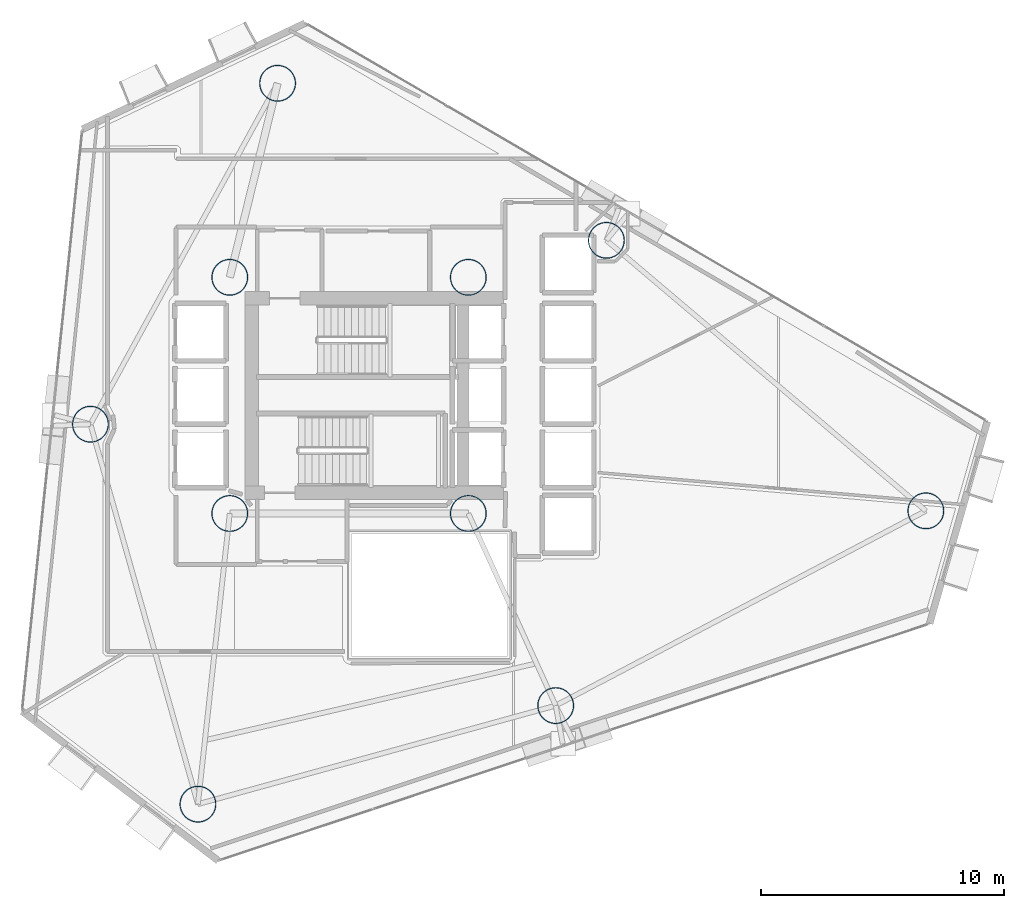
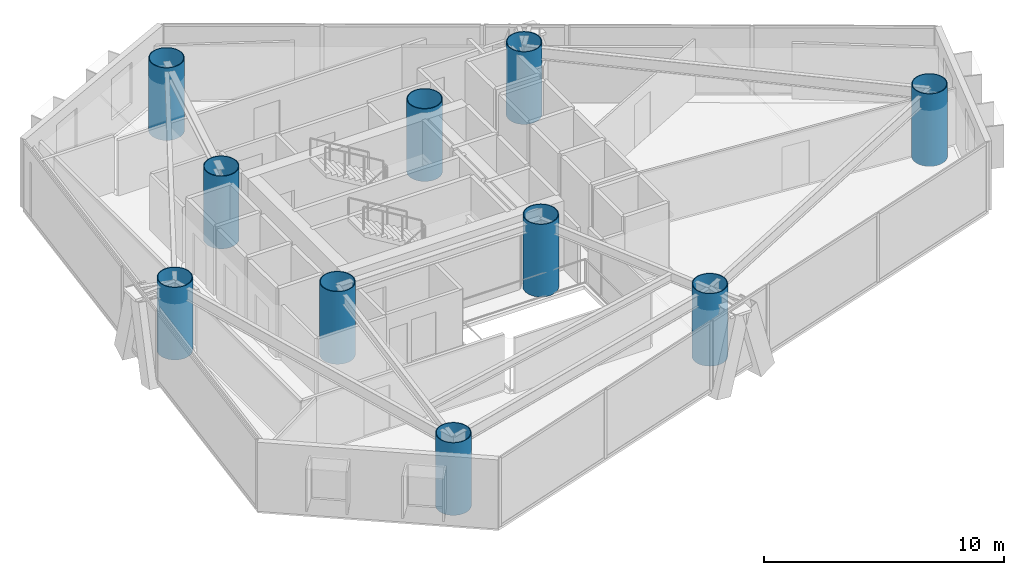
# One storey, part 1 of 19: 10 columns.
"""IFC4 building model written with IfcOpenShell, lengths in metres."""

from ifc_helpers import new_model, si_unit, direction, frame, origin, origin_2d, place, context, subcontext, project, spatial, hollow_circle, extrude, material, material_profile, profile_set, type_object, element, save


model = new_model("IFC4")

# Units and contexts
model_context = context("Model", 3, precision=1e-05, world=origin(), true_north=direction((0.0, 1.0)))
body_context = subcontext(model_context, "Body", "Model", "MODEL_VIEW")
ifc_project = project(units=[si_unit("LENGTHUNIT", "METRE"), si_unit("AREAUNIT", "SQUARE_METRE"), si_unit("VOLUMEUNIT", "CUBIC_METRE"), si_unit("PLANEANGLEUNIT", "RADIAN"), si_unit("MASSUNIT", "GRAM", prefix="KILO")], contexts=[model_context])

# Site, building, storey
site_placement = place(None, origin())
site = spatial("IfcSite", under=ifc_project, at=site_placement, CompositionType="ELEMENT")
building_placement = place(site_placement, origin())
building = spatial("IfcBuilding", under=site, at=building_placement, Name="Qianvela Tower", CompositionType="ELEMENT")
storey_placement = place(building_placement, frame((0.0, 0.0, 120.0)))
storey = spatial("IfcBuildingStorey", under=building, at=storey_placement, Name="L30", CompositionType="ELEMENT", Elevation=120.0)

# Columns
ifc_material = material(Name="Steel Q420GJC", Category="steel")
ifc_material_profile = material_profile(ifc_material, hollow_circle(Radius=0.75, WallThickness=0.035888671875, at=origin_2d()), Name="CFT-1500x36")
ifc_profile_set = profile_set([ifc_material_profile], Name="Steel Q420GJC")
column_type = type_object("IfcColumnType", Name="COL-CFT-1500x36", PredefinedType="COLUMN", material=ifc_profile_set)
for number, where, z_axis, x_axis, name in (
    (1, (28.60009765625, 33.550048828125, 0.0), (0.0, 0.0, 1.0), (1.0, 0.0, 0.0), "L30 Core Corner Mega-Column CC-NW"),
    (2, (28.60009765625, 23.85009765625, 0.0), (0.0, 0.0, 1.0), (1.0, 0.0, 0.0), "L30 Core Corner Mega-Column CC-SW"),
    (3, (38.39990234375, 33.550048828125, 0.0), (0.0, 0.0, 1.0), (1.0, 0.0, 0.0), "L30 Core Corner Mega-Column CC-NE"),
    (4, (38.39990234375, 23.85009765625, 0.0), (0.0, 0.0, 1.0), (1.0, 0.0, 0.0), "L30 Core Corner Mega-Column CC-SE"),
    (5, (57.194091796875, 23.9580078125, 0.0), (0.0, 0.0, 1.0), (1.0, 0.0, 0.0), "L30 Zone Z3 CFT Mega-Column C1"),
    (6, (44.071044921875, 35.070068359375, 0.0), (0.0, 0.0, 1.0), (1.0, 0.0, 0.0), "L30 Zone Z3 CFT Mega-Column C2"),
    (7, (30.56396484375, 41.52099609375, 0.0), (0.0, 0.0, 1.0), (1.0, 0.0, 0.0), "L30 Zone Z3 CFT Mega-Column C3"),
    (8, (22.8779296875, 27.51611328125, 0.0), (0.0, 0.0, 1.0), (1.0, 0.0, 0.0), "L30 Zone Z3 CFT Mega-Column C4"),
    (9, (27.2919921875, 11.908935546875, 0.0), (0.0, 0.0, 1.0), (1.0, 0.0, 0.0), "L30 Zone Z3 CFT Mega-Column C5"),
    (10, (41.988037109375, 15.95703125, 0.0), (0.0, 0.0, 1.0), (1.0, 0.0, 0.0), "L30 Zone Z3 CFT Mega-Column C6"),
):
    element("IfcColumn", number, at=place(storey_placement, frame(where, z_axis=z_axis, x_axis=x_axis)), inside=storey, type_object=column_type, Name=name, PredefinedType="COLUMN", context=body_context, shape_type="SweptSolid", body=[
        extrude(hollow_circle(Radius=0.75, WallThickness=0.035888671875, at=origin_2d()), origin(), (0.0, 0.0, 1.0), 3.699951171875),
    ])

save(model, "model.ifc")
